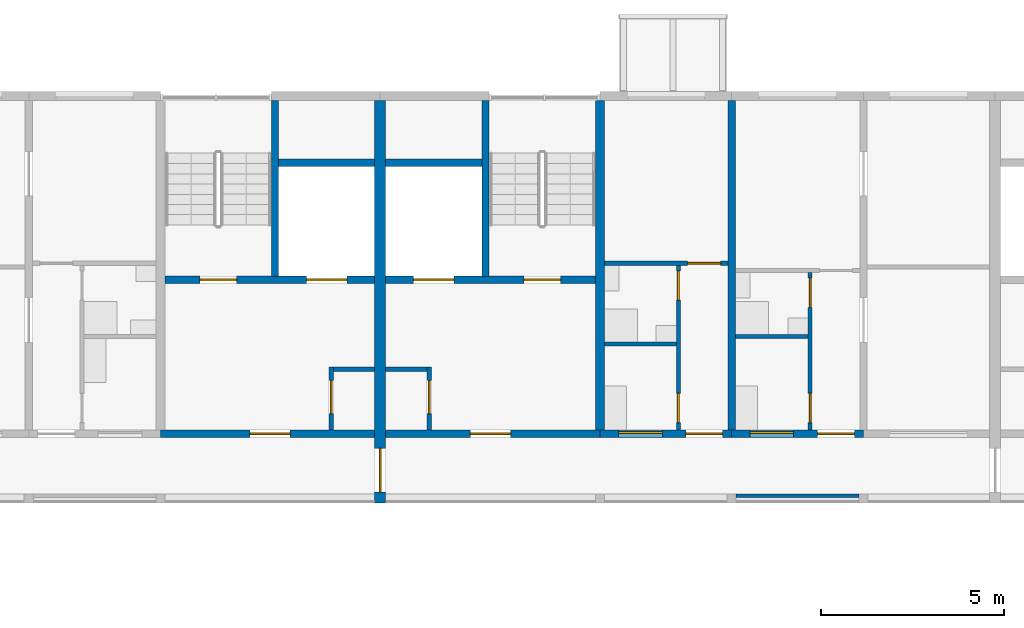
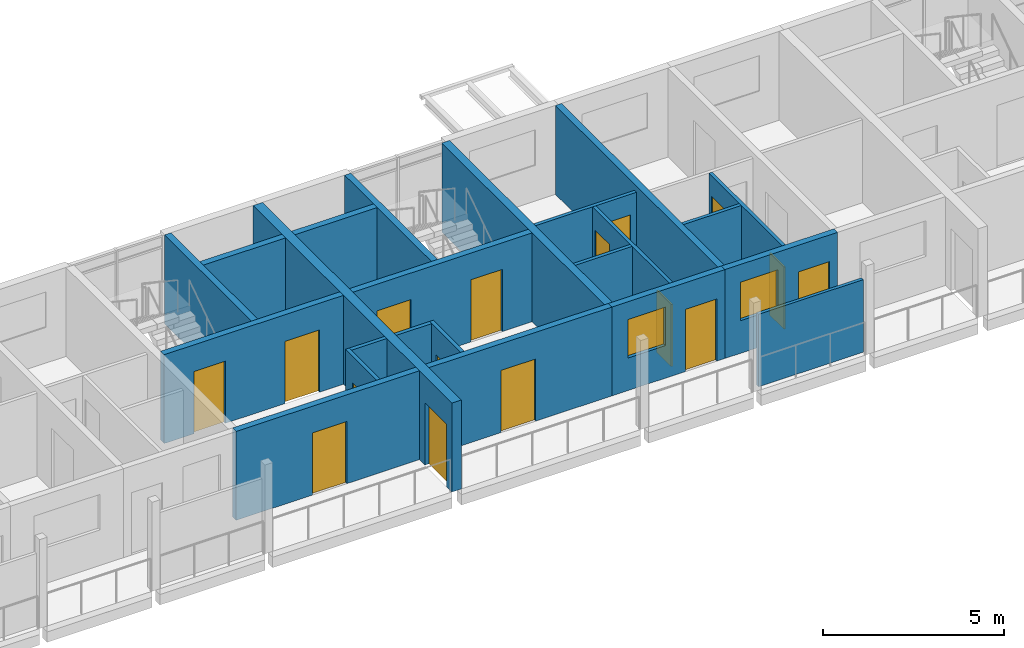
# One storey, part 42 of 100: 23 walls, 16 doors, 2 windows, 18 openings.
"""IFC4 building model written with IfcOpenShell, lengths in metres."""

from ifc_helpers import new_model, si_unit, direction, frame, frame_2d, origin, place, context, subcontext, project, spatial, rectangle, extrude, material, layer, layer_set, type_object, element, fill, save


model = new_model("IFC4")

# Units and contexts
model_context = context("Model", 3, precision=1e-05, world=origin(), true_north=direction((0.0, 1.0)))
body_context = subcontext(model_context, "Body", "Model", "MODEL_VIEW")
ifc_project = project(units=[si_unit("LENGTHUNIT", "METRE"), si_unit("AREAUNIT", "SQUARE_METRE"), si_unit("VOLUMEUNIT", "CUBIC_METRE"), si_unit("PLANEANGLEUNIT", "RADIAN"), si_unit("MASSUNIT", "GRAM", prefix="KILO")], contexts=[model_context])

# Site, building, storey
site_placement = place(None, origin())
site = spatial("IfcSite", under=ifc_project, at=site_placement, CompositionType="ELEMENT")
building_placement = place(site_placement, origin())
building = spatial("IfcBuilding", under=site, at=building_placement, Name="Ridgestep Commons", CompositionType="ELEMENT")
storey_placement = place(building_placement, frame((0.0, 0.0, 9.0)))
storey = spatial("IfcBuildingStorey", under=building, at=storey_placement, Name="L03", CompositionType="ELEMENT", Elevation=9.0)

# Wall
ifc_material_1 = material(Name="Concrete C30/37", Category="concrete")
ifc_layer_1 = layer(ifc_material_1, 0.25)
ifc_layer_set_1 = layer_set([ifc_layer_1], Name="Core cross wall 250")
wall_type_1 = type_object("IfcWallType", Name="Core cross wall 250", PredefinedType="SHEAR", material=ifc_layer_set_1)
wall_1_placement = place(storey_placement, frame((85.199951171875, 68.0, 0.0), z_axis=(0.0, 0.0, 1.0), x_axis=(0.0, 1.0, 0.0)))
element("IfcWall", 1, at=wall_1_placement, inside=storey, type_object=wall_type_1, Name="Cross wall B-03-0852", PredefinedType="SHEAR", context=body_context, shape_type="SweptSolid", body=[
    extrude(rectangle(XDim=9.0, YDim=0.25, at=frame_2d((4.5, 0.0))), origin(), (0.0, 0.0, 1.0), 3.0),
])

# Wall, opening, door
ifc_material_2 = material(Name="Concrete C30/37", Category="concrete")
ifc_layer_2 = layer(ifc_material_2, 0.199951171875)
ifc_layer_set_2 = layer_set([ifc_layer_2], Name="Core south wall 200")
wall_type_2 = type_object("IfcWallType", Name="Core south wall 200", PredefinedType="SHEAR", material=ifc_layer_set_2)
wall_2_placement = place(storey_placement, frame((73.199951171875, 67.89990234375, 0.0), z_axis=(0.0, 0.0, 1.0), x_axis=(1.0, 0.0, 0.0)))
wall_2 = element("IfcWall", 2, at=wall_2_placement, inside=storey, type_object=wall_type_2, Name="Core south wall B4C L03", PredefinedType="SHEAR", context=body_context, shape_type="SweptSolid", body=[
    extrude(rectangle(XDim=5.85009765625, YDim=0.199951171875, at=frame_2d((2.925048828125, 0.0))), origin(), (0.0, 0.0, 1.0), 3.0),
])
opening_1_placement = place(wall_2_placement, frame((2.4375, 0.0, 0.0)))
opening_1 = element("IfcOpeningElement", 3, at=opening_1_placement, cuts=wall_2, Name="Opening B4C/03/1", PredefinedType="OPENING", context=body_context, shape_type="SweptSolid", body=[
    extrude(rectangle(XDim=1.10009765625, YDim=2.10009765625, at=frame_2d((0.550048828125, 1.050048828125))), frame((0.0, 0.10986328125, 0.0), z_axis=(0.0, -1.0, 0.0), x_axis=(1.0, 0.0, 0.0)), (0.0, 0.0, 1.0), 0.219970703125),
])
ifc_material_3 = material(Name="Steel fire door", Category="steel")
door_type_1 = type_object("IfcDoorType", Name="Lobby door 1100 x 2100 FD60", OperationType="NOTDEFINED", PredefinedType="DOOR", material=ifc_material_3)
door_1_placement = place(opening_1_placement, origin())
door_1 = element("IfcDoor", 4, at=door_1_placement, inside=storey, type_object=door_type_1, Name="Lobby door B4C/03/1", OperationType="SINGLE_SWING_LEFT", OverallHeight=2.10009765625, OverallWidth=1.10009765625, PredefinedType="DOOR", context=body_context, shape_type="SweptSolid", body=[
    extrude(rectangle(XDim=1.10009765625, YDim=2.10009765625, at=frame_2d((0.550048828125, 1.050048828125))), frame((0.0, 0.02490234375, 0.0), z_axis=(0.0, -1.0, 0.0), x_axis=(1.0, 0.0, 0.0)), (0.0, 0.0, 1.0), 0.050048828125),
])
fill(opening_1, door_1)

wall_3_placement = place(storey_placement, frame((79.35009765625, 67.89990234375, 0.0), z_axis=(0.0, 0.0, 1.0), x_axis=(1.0, 0.0, 0.0)))
wall_3 = element("IfcWall", 5, at=wall_3_placement, inside=storey, type_object=wall_type_2, Name="Core south wall B5C L03", PredefinedType="SHEAR", context=body_context, shape_type="SweptSolid", body=[
    extrude(rectangle(XDim=5.849853515625, YDim=0.199951171875, at=frame_2d((2.9248046875, 0.0))), origin(), (0.0, 0.0, 1.0), 3.0),
])
opening_2_placement = place(wall_3_placement, frame((2.3125, 0.0, 0.0)))
opening_2 = element("IfcOpeningElement", 6, at=opening_2_placement, cuts=wall_3, Name="Opening B5C/03/1", PredefinedType="OPENING", context=body_context, shape_type="SweptSolid", body=[
    extrude(rectangle(XDim=1.10009765625, YDim=2.10009765625, at=frame_2d((0.550048828125, 1.050048828125))), frame((0.0, 0.10986328125, 0.0), z_axis=(0.0, -1.0, 0.0), x_axis=(1.0, 0.0, 0.0)), (0.0, 0.0, 1.0), 0.219970703125),
])
door_2_placement = place(opening_2_placement, origin())
door_2 = element("IfcDoor", 7, at=door_2_placement, inside=storey, type_object=door_type_1, Name="Lobby door B5C/03/1", OperationType="SINGLE_SWING_LEFT", OverallHeight=2.10009765625, OverallWidth=1.10009765625, PredefinedType="DOOR", context=body_context, shape_type="SweptSolid", body=[
    extrude(rectangle(XDim=1.10009765625, YDim=2.10009765625, at=frame_2d((0.550048828125, 1.050048828125))), frame((0.0, 0.02490234375, 0.0), z_axis=(0.0, -1.0, 0.0), x_axis=(1.0, 0.0, 0.0)), (0.0, 0.0, 1.0), 0.050048828125),
])
fill(opening_2, door_2)

ifc_material_4 = material(Name="Concrete C30/37", Category="concrete")
ifc_layer_3 = layer(ifc_material_4, 0.1201171875)
ifc_layer_set_3 = layer_set([ifc_layer_3], Name="Core wall 120")
wall_type_3 = type_object("IfcWallType", Name="Core wall 120", PredefinedType="SHEAR", material=ifc_layer_set_3)
wall_4_placement = place(storey_placement, frame((77.860107421875, 68.0, 0.0), z_axis=(0.0, 0.0, 1.0), x_axis=(0.0, 1.0, 0.0)))
wall_4 = element("IfcWall", 8, at=wall_4_placement, inside=storey, type_object=wall_type_3, Name="Core riser w wall B4C L03", PredefinedType="SHEAR", context=body_context, shape_type="SweptSolid", body=[
    extrude(rectangle(XDim=1.719970703125, YDim=0.1201171875, at=frame_2d((0.85986328125, 0.0))), origin(), (0.0, 0.0, 1.0), 3.0),
])
opening_3_placement = place(wall_4_placement, frame((0.449951171875, 0.0, 0.0)))
opening_3 = element("IfcOpeningElement", 9, at=opening_3_placement, cuts=wall_4, Name="Opening B4C/03/4", PredefinedType="OPENING", context=body_context, shape_type="SweptSolid", body=[
    extrude(rectangle(XDim=0.89990234375, YDim=2.10009765625, at=frame_2d((0.449951171875, 1.050048828125))), frame((0.0, 0.070068359375, 0.0), z_axis=(0.0, -1.0, 0.0), x_axis=(1.0, 0.0, 0.0)), (0.0, 0.0, 1.0), 0.14013671875),
])
ifc_material_5 = material(Name="Steel fire door", Category="steel")
door_type_2 = type_object("IfcDoorType", Name="Riser door 900 x 2100 FD60", OperationType="NOTDEFINED", PredefinedType="DOOR", material=ifc_material_5)
door_3_placement = place(opening_3_placement, origin())
door_3 = element("IfcDoor", 10, at=door_3_placement, inside=storey, type_object=door_type_2, Name="Riser door B4C/03/4", OperationType="SINGLE_SWING_LEFT", OverallHeight=2.10009765625, OverallWidth=0.89990234375, PredefinedType="DOOR", context=body_context, shape_type="SweptSolid", body=[
    extrude(rectangle(XDim=0.89990234375, YDim=2.10009765625, at=frame_2d((0.449951171875, 1.050048828125))), frame((0.0, 0.02490234375, 0.0), z_axis=(0.0, -1.0, 0.0), x_axis=(1.0, 0.0, 0.0)), (0.0, 0.0, 1.0), 0.050048828125),
])
fill(opening_3, door_3)

# Wall
wall_5_placement = place(storey_placement, frame((77.919921875, 69.659912109375, 0.0), z_axis=(0.0, 0.0, 1.0), x_axis=(1.0, 0.0, 0.0)))
element("IfcWall", 11, at=wall_5_placement, inside=storey, type_object=wall_type_3, Name="Core riser n wall B4C L03", PredefinedType="SHEAR", context=body_context, shape_type="SweptSolid", body=[
    extrude(rectangle(XDim=1.130126953125, YDim=0.1201171875, at=frame_2d((0.56494140625, 0.0))), origin(), (0.0, 0.0, 1.0), 3.0),
])

# Wall, opening, door
wall_6_placement = place(storey_placement, frame((80.5400390625, 68.0, 0.0), z_axis=(0.0, 0.0, 1.0), x_axis=(0.0, 1.0, 0.0)))
wall_6 = element("IfcWall", 12, at=wall_6_placement, inside=storey, type_object=wall_type_3, Name="Core riser w wall B5C L03", PredefinedType="SHEAR", context=body_context, shape_type="SweptSolid", body=[
    extrude(rectangle(XDim=1.719970703125, YDim=0.1201171875, at=frame_2d((0.85986328125, 0.0))), origin(), (0.0, 0.0, 1.0), 3.0),
])
opening_4_placement = place(wall_6_placement, frame((0.449951171875, 0.0, 0.0)))
opening_4 = element("IfcOpeningElement", 13, at=opening_4_placement, cuts=wall_6, Name="Opening B5C/03/4", PredefinedType="OPENING", context=body_context, shape_type="SweptSolid", body=[
    extrude(rectangle(XDim=0.89990234375, YDim=2.10009765625, at=frame_2d((0.449951171875, 1.050048828125))), frame((0.0, 0.070068359375, 0.0), z_axis=(0.0, -1.0, 0.0), x_axis=(1.0, 0.0, 0.0)), (0.0, 0.0, 1.0), 0.14013671875),
])
door_4_placement = place(opening_4_placement, origin())
door_4 = element("IfcDoor", 14, at=door_4_placement, inside=storey, type_object=door_type_2, Name="Riser door B5C/03/4", OperationType="SINGLE_SWING_RIGHT", OverallHeight=2.10009765625, OverallWidth=0.89990234375, PredefinedType="DOOR", context=body_context, shape_type="SweptSolid", body=[
    extrude(rectangle(XDim=0.89990234375, YDim=2.10009765625, at=frame_2d((0.449951171875, 1.050048828125))), frame((0.0, 0.02490234375, 0.0), z_axis=(0.0, -1.0, 0.0), x_axis=(1.0, 0.0, 0.0)), (0.0, 0.0, 1.0), 0.050048828125),
])
fill(opening_4, door_4)

# Wall
wall_7_placement = place(storey_placement, frame((79.35009765625, 69.659912109375, 0.0), z_axis=(0.0, 0.0, 1.0), x_axis=(1.0, 0.0, 0.0)))
element("IfcWall", 15, at=wall_7_placement, inside=storey, type_object=wall_type_3, Name="Core riser n wall B5C L03", PredefinedType="SHEAR", context=body_context, shape_type="SweptSolid", body=[
    extrude(rectangle(XDim=1.1298828125, YDim=0.1201171875, at=frame_2d((0.56494140625, 0.0))), origin(), (0.0, 0.0, 1.0), 3.0),
])

# Wall, openings, doors
ifc_material_6 = material(Name="Concrete C30/37", Category="concrete")
ifc_layer_4 = layer(ifc_material_6, 0.199951171875)
ifc_layer_set_4 = layer_set([ifc_layer_4], Name="Core wall 200")
wall_type_4 = type_object("IfcWallType", Name="Core wall 200", PredefinedType="SHEAR", material=ifc_layer_set_4)
wall_8_placement = place(storey_placement, frame((73.324951171875, 72.10009765625, 0.0), z_axis=(0.0, 0.0, 1.0), x_axis=(1.0, 0.0, 0.0)))
wall_8 = element("IfcWall", 16, at=wall_8_placement, inside=storey, type_object=wall_type_4, Name="Core lobby wall B4C L03", PredefinedType="SHEAR", context=body_context, shape_type="SweptSolid", body=[
    extrude(rectangle(XDim=5.72509765625, YDim=0.199951171875, at=frame_2d((2.862548828125, 0.0))), origin(), (0.0, 0.0, 1.0), 3.0),
])
opening_5_placement = place(wall_8_placement, frame((0.949951171875, 0.0, 0.0)))
opening_5 = element("IfcOpeningElement", 17, at=opening_5_placement, cuts=wall_8, Name="Opening B4C/03/2", PredefinedType="OPENING", context=body_context, shape_type="SweptSolid", body=[
    extrude(rectangle(XDim=1.0, YDim=2.10009765625, at=frame_2d((0.5, 1.050048828125))), frame((0.0, 0.10986328125, 0.0), z_axis=(0.0, -1.0, 0.0), x_axis=(1.0, 0.0, 0.0)), (0.0, 0.0, 1.0), 0.219970703125),
])
opening_6_placement = place(wall_8_placement, frame((3.862548828125, 0.0, 0.0)))
opening_6 = element("IfcOpeningElement", 18, at=opening_6_placement, cuts=wall_8, Name="Opening B4C/03/3", PredefinedType="OPENING", context=body_context, shape_type="SweptSolid", body=[
    extrude(rectangle(XDim=1.10009765625, YDim=2.10009765625, at=frame_2d((0.550048828125, 1.050048828125))), frame((0.0, 0.10986328125, 0.0), z_axis=(0.0, -1.0, 0.0), x_axis=(1.0, 0.0, 0.0)), (0.0, 0.0, 1.0), 0.219970703125),
])
ifc_material_7 = material(Name="Stainless steel", Category="steel")
door_type_3 = type_object("IfcDoorType", Name="Lift landing door 1100 x 2100 FD60", OperationType="DOUBLE_DOOR_SLIDING", PredefinedType="DOOR", material=ifc_material_7)
door_5_placement = place(opening_6_placement, origin())
door_5 = element("IfcDoor", 19, at=door_5_placement, inside=storey, type_object=door_type_3, Name="Landing door LD B4C L03", OperationType="DOUBLE_DOOR_SLIDING", OverallHeight=2.10009765625, OverallWidth=1.10009765625, PredefinedType="DOOR", context=body_context, shape_type="SweptSolid", body=[
    extrude(rectangle(XDim=1.10009765625, YDim=2.10009765625, at=frame_2d((0.550048828125, 1.050048828125))), frame((0.0, 0.02490234375, 0.0), z_axis=(0.0, -1.0, 0.0), x_axis=(1.0, 0.0, 0.0)), (0.0, 0.0, 1.0), 0.050048828125),
])
fill(opening_6, door_5)
ifc_material_8 = material(Name="Steel fire door", Category="steel")
door_type_4 = type_object("IfcDoorType", Name="Stair door 1000 x 2100 FD60", OperationType="NOTDEFINED", PredefinedType="DOOR", material=ifc_material_8)
door_6_placement = place(opening_5_placement, origin())
door_6 = element("IfcDoor", 20, at=door_6_placement, inside=storey, type_object=door_type_4, Name="Stair door B4C/03/2", OperationType="SINGLE_SWING_RIGHT", OverallHeight=2.10009765625, OverallWidth=1.0, PredefinedType="DOOR", context=body_context, shape_type="SweptSolid", body=[
    extrude(rectangle(XDim=1.0, YDim=2.10009765625, at=frame_2d((0.5, 1.050048828125))), frame((0.0, 0.02490234375, 0.0), z_axis=(0.0, -1.0, 0.0), x_axis=(1.0, 0.0, 0.0)), (0.0, 0.0, 1.0), 0.050048828125),
])
fill(opening_5, door_6)

# Walls
wall_9_placement = place(storey_placement, frame((76.324951171875, 72.199951171875, 0.0), z_axis=(0.0, 0.0, 1.0), x_axis=(0.0, 1.0, 0.0)))
element("IfcWall", 21, at=wall_9_placement, inside=storey, type_object=wall_type_4, Name="Core stair wall B4C L03", PredefinedType="SHEAR", context=body_context, shape_type="SweptSolid", body=[
    extrude(rectangle(XDim=4.800048828125, YDim=0.199951171875, at=frame_2d((2.39990234375, 0.0))), origin(), (0.0, 0.0, 1.0), 3.0),
])
wall_10_placement = place(storey_placement, frame((76.425048828125, 75.300048828125, 0.0), z_axis=(0.0, 0.0, 1.0), x_axis=(1.0, 0.0, 0.0)))
element("IfcWall", 22, at=wall_10_placement, inside=storey, type_object=wall_type_4, Name="Core duct wall B4C L03", PredefinedType="SHEAR", context=body_context, shape_type="SweptSolid", body=[
    extrude(rectangle(XDim=2.625, YDim=0.199951171875, at=frame_2d((1.3125, 0.0))), origin(), (0.0, 0.0, 1.0), 3.0),
])

# Wall, openings, doors
wall_11_placement = place(storey_placement, frame((79.35009765625, 72.10009765625, 0.0), z_axis=(0.0, 0.0, 1.0), x_axis=(1.0, 0.0, 0.0)))
wall_11 = element("IfcWall", 23, at=wall_11_placement, inside=storey, type_object=wall_type_4, Name="Core lobby wall B5C L03", PredefinedType="SHEAR", context=body_context, shape_type="SweptSolid", body=[
    extrude(rectangle(XDim=5.724853515625, YDim=0.199951171875, at=frame_2d((2.8623046875, 0.0))), origin(), (0.0, 0.0, 1.0), 3.0),
])
opening_7_placement = place(wall_11_placement, frame((3.77490234375, 0.0, 0.0)))
opening_7 = element("IfcOpeningElement", 24, at=opening_7_placement, cuts=wall_11, Name="Opening B5C/03/2", PredefinedType="OPENING", context=body_context, shape_type="SweptSolid", body=[
    extrude(rectangle(XDim=1.0, YDim=2.10009765625, at=frame_2d((0.5, 1.050048828125))), frame((0.0, 0.10986328125, 0.0), z_axis=(0.0, -1.0, 0.0), x_axis=(1.0, 0.0, 0.0)), (0.0, 0.0, 1.0), 0.219970703125),
])
opening_8_placement = place(wall_11_placement, frame((0.762451171875, 0.0, 0.0)))
opening_8 = element("IfcOpeningElement", 25, at=opening_8_placement, cuts=wall_11, Name="Opening B5C/03/3", PredefinedType="OPENING", context=body_context, shape_type="SweptSolid", body=[
    extrude(rectangle(XDim=1.10009765625, YDim=2.10009765625, at=frame_2d((0.550048828125, 1.050048828125))), frame((0.0, 0.10986328125, 0.0), z_axis=(0.0, -1.0, 0.0), x_axis=(1.0, 0.0, 0.0)), (0.0, 0.0, 1.0), 0.219970703125),
])
door_7_placement = place(opening_8_placement, origin())
door_7 = element("IfcDoor", 26, at=door_7_placement, inside=storey, type_object=door_type_3, Name="Landing door LD B5C L03", OperationType="DOUBLE_DOOR_SLIDING", OverallHeight=2.10009765625, OverallWidth=1.10009765625, PredefinedType="DOOR", context=body_context, shape_type="SweptSolid", body=[
    extrude(rectangle(XDim=1.10009765625, YDim=2.10009765625, at=frame_2d((0.550048828125, 1.050048828125))), frame((0.0, 0.02490234375, 0.0), z_axis=(0.0, -1.0, 0.0), x_axis=(1.0, 0.0, 0.0)), (0.0, 0.0, 1.0), 0.050048828125),
])
fill(opening_8, door_7)
door_8_placement = place(opening_7_placement, origin())
door_8 = element("IfcDoor", 27, at=door_8_placement, inside=storey, type_object=door_type_4, Name="Stair door B5C/03/2", OperationType="SINGLE_SWING_RIGHT", OverallHeight=2.10009765625, OverallWidth=1.0, PredefinedType="DOOR", context=body_context, shape_type="SweptSolid", body=[
    extrude(rectangle(XDim=1.0, YDim=2.10009765625, at=frame_2d((0.5, 1.050048828125))), frame((0.0, 0.02490234375, 0.0), z_axis=(0.0, -1.0, 0.0), x_axis=(1.0, 0.0, 0.0)), (0.0, 0.0, 1.0), 0.050048828125),
])
fill(opening_7, door_8)

# Walls
wall_12_placement = place(storey_placement, frame((82.074951171875, 72.199951171875, 0.0), z_axis=(0.0, 0.0, 1.0), x_axis=(0.0, 1.0, 0.0)))
element("IfcWall", 28, at=wall_12_placement, inside=storey, type_object=wall_type_4, Name="Core stair wall B5C L03", PredefinedType="SHEAR", context=body_context, shape_type="SweptSolid", body=[
    extrude(rectangle(XDim=4.800048828125, YDim=0.199951171875, at=frame_2d((2.39990234375, 0.0))), origin(), (0.0, 0.0, 1.0), 3.0),
])
wall_13_placement = place(storey_placement, frame((79.35009765625, 75.300048828125, 0.0), z_axis=(0.0, 0.0, 1.0), x_axis=(1.0, 0.0, 0.0)))
element("IfcWall", 29, at=wall_13_placement, inside=storey, type_object=wall_type_4, Name="Core duct wall B5C L03", PredefinedType="SHEAR", context=body_context, shape_type="SweptSolid", body=[
    extrude(rectangle(XDim=2.625, YDim=0.199951171875, at=frame_2d((1.3125, 0.0))), origin(), (0.0, 0.0, 1.0), 3.0),
])
ifc_material_9 = material(Name="Precast concrete C40/50", Category="concrete")
ifc_layer_5 = layer(ifc_material_9, 0.199951171875)
ifc_layer_set_5 = layer_set([ifc_layer_5], Name="Cross wall 200")
wall_type_5 = type_object("IfcWallType", Name="Cross wall 200", PredefinedType="SHEAR", material=ifc_layer_set_5)
wall_14_placement = place(storey_placement, frame((88.800048828125, 68.0, 0.0), z_axis=(0.0, 0.0, 1.0), x_axis=(0.0, 1.0, 0.0)))
element("IfcWall", 30, at=wall_14_placement, inside=storey, type_object=wall_type_5, Name="Cross wall B-03-0888", PredefinedType="SHEAR", context=body_context, shape_type="SweptSolid", body=[
    extrude(rectangle(XDim=9.0, YDim=0.199951171875, at=frame_2d((4.5, 0.0))), origin(), (0.0, 0.0, 1.0), 3.0),
])

# Wall, opening, door
ifc_material_10 = material(Name="Precast concrete C40/50", Category="concrete")
ifc_layer_6 = layer(ifc_material_10, 0.300048828125)
ifc_layer_set_6 = layer_set([ifc_layer_6], Name="Division wall 300")
wall_type_6 = type_object("IfcWallType", Name="Division wall 300", PredefinedType="SHEAR", material=ifc_layer_set_6)
wall_15_placement = place(storey_placement, frame((79.199951171875, 66.0, 0.0), z_axis=(0.0, 0.0, 1.0), x_axis=(0.0, 1.0, 0.0)))
wall_15 = element("IfcWall", 31, at=wall_15_placement, inside=storey, type_object=wall_type_6, Name="Cross wall B-03-0792", PredefinedType="SHEAR", context=body_context, shape_type="SweptSolid", body=[
    extrude(rectangle(XDim=11.0, YDim=0.300048828125, at=frame_2d((5.5, 0.0))), origin(), (0.0, 0.0, 1.0), 3.0),
])
opening_9_placement = place(wall_15_placement, frame((0.300048828125, 0.0, 0.0)))
opening_9 = element("IfcOpeningElement", 32, at=opening_9_placement, cuts=wall_15, Name="Opening B/03/G0792", PredefinedType="OPENING", context=body_context, shape_type="SweptSolid", body=[
    extrude(rectangle(XDim=1.199951171875, YDim=2.10009765625, at=frame_2d((0.60009765625, 1.050048828125))), frame((0.0, 0.159912109375, 0.0), z_axis=(0.0, -1.0, 0.0), x_axis=(1.0, 0.0, 0.0)), (0.0, 0.0, 1.0), 0.320068359375),
])
ifc_material_11 = material(Name="Steel fire door", Category="steel")
door_type_5 = type_object("IfcDoorType", Name="Division fire door 1200 x 2100 EI 240", OperationType="DOUBLE_DOOR_SINGLE_SWING", PredefinedType="DOOR", material=ifc_material_11)
door_9_placement = place(opening_9_placement, origin())
door_9 = element("IfcDoor", 33, at=door_9_placement, inside=storey, type_object=door_type_5, Name="Division fire door B/03/G0792", OperationType="DOUBLE_DOOR_SINGLE_SWING", OverallHeight=2.10009765625, OverallWidth=1.199951171875, PredefinedType="DOOR", context=body_context, shape_type="SweptSolid", body=[
    extrude(rectangle(XDim=1.199951171875, YDim=2.10009765625, at=frame_2d((0.60009765625, 1.050048828125))), frame((0.0, 0.02490234375, 0.0), z_axis=(0.0, -1.0, 0.0), x_axis=(1.0, 0.0, 0.0)), (0.0, 0.0, 1.0), 0.050048828125),
])
fill(opening_9, door_9)

# Wall
ifc_material_12 = material(Name="Common brick 110 mm", Category="masonry")
ifc_layer_7 = layer(ifc_material_12, 0.110107421875)
ifc_layer_set_7 = layer_set([ifc_layer_7], Name="Partition 110")
wall_type_7 = type_object("IfcWallType", Name="Partition 110", PredefinedType="PARTITIONING", material=ifc_layer_set_7)
wall_16_placement = place(storey_placement, frame((88.89990234375, 70.554931640625, 0.0), z_axis=(0.0, 0.0, 1.0), x_axis=(1.0, 0.0, 0.0)))
element("IfcWall", 34, at=wall_16_placement, inside=storey, type_object=wall_type_7, Name="Partition B5-03a", PredefinedType="PARTITIONING", context=body_context, shape_type="SweptSolid", body=[
    extrude(rectangle(XDim=1.989990234375, YDim=0.110107421875, at=frame_2d((0.9951171875, 0.0))), origin(), (0.0, 0.0, 1.0), 2.800048828125),
])

# Wall, openings, doors
wall_17_placement = place(storey_placement, frame((90.945068359375, 68.0, 0.0), z_axis=(0.0, 0.0, 1.0), x_axis=(0.0, 1.0, 0.0)))
wall_17 = element("IfcWall", 35, at=wall_17_placement, inside=storey, type_object=wall_type_7, Name="Partition B5-03a", PredefinedType="PARTITIONING", context=body_context, shape_type="SweptSolid", body=[
    extrude(rectangle(XDim=4.300048828125, YDim=0.110107421875, at=frame_2d((2.14990234375, 0.0))), origin(), (0.0, 0.0, 1.0), 2.800048828125),
])
opening_10_placement = place(wall_17_placement, frame((0.199951171875, 0.0, 0.0)))
opening_10 = element("IfcOpeningElement", 36, at=opening_10_placement, cuts=wall_17, Name="Opening B5-03a/2", PredefinedType="OPENING", context=body_context, shape_type="SweptSolid", body=[
    extrude(rectangle(XDim=0.800048828125, YDim=2.10009765625, at=frame_2d((0.39990234375, 1.050048828125))), frame((0.0, 0.06494140625, 0.0), z_axis=(0.0, -1.0, 0.0), x_axis=(1.0, 0.0, 0.0)), (0.0, 0.0, 1.0), 0.130126953125),
])
opening_11_placement = place(wall_17_placement, frame((3.35009765625, 0.0, 0.0)))
opening_11 = element("IfcOpeningElement", 37, at=opening_11_placement, cuts=wall_17, Name="Opening B5-03a/3", PredefinedType="OPENING", context=body_context, shape_type="SweptSolid", body=[
    extrude(rectangle(XDim=0.800048828125, YDim=2.10009765625, at=frame_2d((0.39990234375, 1.050048828125))), frame((0.0, 0.06494140625, 0.0), z_axis=(0.0, -1.0, 0.0), x_axis=(1.0, 0.0, 0.0)), (0.0, 0.0, 1.0), 0.130126953125),
])
ifc_material_13 = material(Name="Timber door leaf", Category="wood")
door_type_6 = type_object("IfcDoorType", Name="Internal door 800 x 2100", OperationType="NOTDEFINED", PredefinedType="DOOR", material=ifc_material_13)
door_10_placement = place(opening_10_placement, origin())
door_10 = element("IfcDoor", 38, at=door_10_placement, inside=storey, type_object=door_type_6, Name="Internal door B5-03a/2", OperationType="SINGLE_SWING_LEFT", OverallHeight=2.10009765625, OverallWidth=0.800048828125, PredefinedType="DOOR", context=body_context, shape_type="SweptSolid", body=[
    extrude(rectangle(XDim=0.800048828125, YDim=2.10009765625, at=frame_2d((0.39990234375, 1.050048828125))), frame((0.0, 0.02490234375, 0.0), z_axis=(0.0, -1.0, 0.0), x_axis=(1.0, 0.0, 0.0)), (0.0, 0.0, 1.0), 0.050048828125),
])
fill(opening_10, door_10)
door_11_placement = place(opening_11_placement, origin())
door_11 = element("IfcDoor", 39, at=door_11_placement, inside=storey, type_object=door_type_6, Name="Internal door B5-03a/3", OperationType="SINGLE_SWING_RIGHT", OverallHeight=2.10009765625, OverallWidth=0.800048828125, PredefinedType="DOOR", context=body_context, shape_type="SweptSolid", body=[
    extrude(rectangle(XDim=0.800048828125, YDim=2.10009765625, at=frame_2d((0.39990234375, 1.050048828125))), frame((0.0, 0.02490234375, 0.0), z_axis=(0.0, -1.0, 0.0), x_axis=(1.0, 0.0, 0.0)), (0.0, 0.0, 1.0), 0.050048828125),
])
fill(opening_11, door_11)

# Wall
wall_18_placement = place(storey_placement, frame((85.324951171875, 70.35498046875, 0.0), z_axis=(0.0, 0.0, 1.0), x_axis=(1.0, 0.0, 0.0)))
element("IfcWall", 40, at=wall_18_placement, inside=storey, type_object=wall_type_7, Name="Partition B5-03b", PredefinedType="PARTITIONING", context=body_context, shape_type="SweptSolid", body=[
    extrude(rectangle(XDim=1.965087890625, YDim=0.110107421875, at=frame_2d((0.982421875, 0.0))), origin(), (0.0, 0.0, 1.0), 2.800048828125),
])

# Wall, openings, doors
wall_19_placement = place(storey_placement, frame((87.344970703125, 68.0, 0.0), z_axis=(0.0, 0.0, 1.0), x_axis=(0.0, 1.0, 0.0)))
wall_19 = element("IfcWall", 41, at=wall_19_placement, inside=storey, type_object=wall_type_7, Name="Partition B5-03b", PredefinedType="PARTITIONING", context=body_context, shape_type="SweptSolid", body=[
    extrude(rectangle(XDim=4.5, YDim=0.110107421875, at=frame_2d((2.25, 0.0))), origin(), (0.0, 0.0, 1.0), 2.800048828125),
])
opening_12_placement = place(wall_19_placement, frame((0.199951171875, 0.0, 0.0)))
opening_12 = element("IfcOpeningElement", 42, at=opening_12_placement, cuts=wall_19, Name="Opening B5-03b/2", PredefinedType="OPENING", context=body_context, shape_type="SweptSolid", body=[
    extrude(rectangle(XDim=0.800048828125, YDim=2.10009765625, at=frame_2d((0.39990234375, 1.050048828125))), frame((0.0, 0.06494140625, 0.0), z_axis=(0.0, -1.0, 0.0), x_axis=(1.0, 0.0, 0.0)), (0.0, 0.0, 1.0), 0.130126953125),
])
opening_13_placement = place(wall_19_placement, frame((3.550048828125, 0.0, 0.0)))
opening_13 = element("IfcOpeningElement", 43, at=opening_13_placement, cuts=wall_19, Name="Opening B5-03b/3", PredefinedType="OPENING", context=body_context, shape_type="SweptSolid", body=[
    extrude(rectangle(XDim=0.800048828125, YDim=2.10009765625, at=frame_2d((0.39990234375, 1.050048828125))), frame((0.0, 0.06494140625, 0.0), z_axis=(0.0, -1.0, 0.0), x_axis=(1.0, 0.0, 0.0)), (0.0, 0.0, 1.0), 0.130126953125),
])
door_12_placement = place(opening_12_placement, origin())
door_12 = element("IfcDoor", 44, at=door_12_placement, inside=storey, type_object=door_type_6, Name="Internal door B5-03b/2", OperationType="SINGLE_SWING_LEFT", OverallHeight=2.10009765625, OverallWidth=0.800048828125, PredefinedType="DOOR", context=body_context, shape_type="SweptSolid", body=[
    extrude(rectangle(XDim=0.800048828125, YDim=2.10009765625, at=frame_2d((0.39990234375, 1.050048828125))), frame((0.0, 0.02490234375, 0.0), z_axis=(0.0, -1.0, 0.0), x_axis=(1.0, 0.0, 0.0)), (0.0, 0.0, 1.0), 0.050048828125),
])
fill(opening_12, door_12)
door_13_placement = place(opening_13_placement, origin())
door_13 = element("IfcDoor", 45, at=door_13_placement, inside=storey, type_object=door_type_6, Name="Internal door B5-03b/3", OperationType="SINGLE_SWING_RIGHT", OverallHeight=2.10009765625, OverallWidth=0.800048828125, PredefinedType="DOOR", context=body_context, shape_type="SweptSolid", body=[
    extrude(rectangle(XDim=0.800048828125, YDim=2.10009765625, at=frame_2d((0.39990234375, 1.050048828125))), frame((0.0, 0.02490234375, 0.0), z_axis=(0.0, -1.0, 0.0), x_axis=(1.0, 0.0, 0.0)), (0.0, 0.0, 1.0), 0.050048828125),
])
fill(opening_13, door_13)

# Wall, opening, door
wall_20_placement = place(storey_placement, frame((85.324951171875, 72.554931640625, 0.0), z_axis=(0.0, 0.0, 1.0), x_axis=(1.0, 0.0, 0.0)))
wall_20 = element("IfcWall", 46, at=wall_20_placement, inside=storey, type_object=wall_type_7, Name="Partition B5-03b", PredefinedType="PARTITIONING", context=body_context, shape_type="SweptSolid", body=[
    extrude(rectangle(XDim=3.375, YDim=0.110107421875, at=frame_2d((1.6875, 0.0))), origin(), (0.0, 0.0, 1.0), 2.800048828125),
])
opening_14_placement = place(wall_20_placement, frame((2.27490234375, 0.0, 0.0)))
opening_14 = element("IfcOpeningElement", 47, at=opening_14_placement, cuts=wall_20, Name="Opening B5-03b/4", PredefinedType="OPENING", context=body_context, shape_type="SweptSolid", body=[
    extrude(rectangle(XDim=0.89990234375, YDim=2.10009765625, at=frame_2d((0.449951171875, 1.050048828125))), frame((0.0, 0.06494140625, 0.0), z_axis=(0.0, -1.0, 0.0), x_axis=(1.0, 0.0, 0.0)), (0.0, 0.0, 1.0), 0.130126953125),
])
ifc_material_14 = material(Name="Timber door leaf", Category="wood")
door_type_7 = type_object("IfcDoorType", Name="Internal door 900 x 2100", OperationType="NOTDEFINED", PredefinedType="DOOR", material=ifc_material_14)
door_14_placement = place(opening_14_placement, origin())
door_14 = element("IfcDoor", 48, at=door_14_placement, inside=storey, type_object=door_type_7, Name="Internal door B5-03b/4", OperationType="SINGLE_SWING_RIGHT", OverallHeight=2.10009765625, OverallWidth=0.89990234375, PredefinedType="DOOR", context=body_context, shape_type="SweptSolid", body=[
    extrude(rectangle(XDim=0.89990234375, YDim=2.10009765625, at=frame_2d((0.449951171875, 1.050048828125))), frame((0.0, 0.02490234375, 0.0), z_axis=(0.0, -1.0, 0.0), x_axis=(1.0, 0.0, 0.0)), (0.0, 0.0, 1.0), 0.050048828125),
])
fill(opening_14, door_14)

# Wall
ifc_material_15 = material(Name="Precast concrete C30/37", Category="concrete")
ifc_layer_8 = layer(ifc_material_15, 0.10009765625)
ifc_layer_set_8 = layer_set([ifc_layer_8], Name="Perforated gallery screen 3350 x 2450 x 100")
wall_type_8 = type_object("IfcWallType", Name="Perforated gallery screen 3350 x 2450 x 100", PredefinedType="SOLIDWALL", material=ifc_layer_set_8)
wall_21_placement = place(storey_placement, frame((88.925048828125, 66.199951171875, 0.0), z_axis=(0.0, 0.0, 1.0), x_axis=(1.0, 0.0, 0.0)))
element("IfcWall", 49, at=wall_21_placement, inside=storey, type_object=wall_type_8, Name="Gallery screen B5T2 03", PredefinedType="SOLIDWALL", context=body_context, shape_type="SweptSolid", body=[
    extrude(rectangle(XDim=3.349853515625, YDim=0.10009765625, at=frame_2d((1.6748046875, 0.0))), origin(), (0.0, 0.0, 1.0), 2.449951171875),
])

# Wall, openings, door, window
ifc_material_16 = material(Name="Precast concrete C40/50", Category="concrete")
ifc_layer_9 = layer(ifc_material_16, 0.199951171875)
ifc_layer_set_9 = layer_set([ifc_layer_9], Name="South facade panel 200")
wall_type_9 = type_object("IfcWallType", Name="South facade panel 200", PredefinedType="SOLIDWALL", material=ifc_layer_set_9)
wall_22_placement = place(storey_placement, frame((85.199951171875, 67.89990234375, 0.0), z_axis=(0.0, 0.0, 1.0), x_axis=(1.0, 0.0, 0.0)))
wall_22 = element("IfcWall", 50, at=wall_22_placement, inside=storey, type_object=wall_type_9, Name="South panel B5T3 L03", PredefinedType="SOLIDWALL", context=body_context, shape_type="SweptSolid", body=[
    extrude(rectangle(XDim=3.60009765625, YDim=0.199951171875, at=frame_2d((1.800048828125, 0.0))), origin(), (0.0, 0.0, 1.0), 3.0),
])
opening_15_placement = place(wall_22_placement, frame((0.507568359375, 0.0, 1.10009765625)))
opening_15 = element("IfcOpeningElement", 51, at=opening_15_placement, cuts=wall_22, Name="Opening W08", PredefinedType="OPENING", context=body_context, shape_type="SweptSolid", body=[
    extrude(rectangle(XDim=1.199951171875, YDim=1.300048828125, at=frame_2d((0.60009765625, 0.64990234375))), frame((0.0, 0.10986328125, 0.0), z_axis=(0.0, -1.0, 0.0), x_axis=(1.0, 0.0, 0.0)), (0.0, 0.0, 1.0), 0.219970703125),
])
opening_16_placement = place(wall_22_placement, frame((2.35009765625, 0.0, 0.0)))
opening_16 = element("IfcOpeningElement", 52, at=opening_16_placement, cuts=wall_22, Name="Opening B5-03b/1", PredefinedType="OPENING", context=body_context, shape_type="SweptSolid", body=[
    extrude(rectangle(XDim=1.0, YDim=2.10009765625, at=frame_2d((0.5, 1.050048828125))), frame((0.0, 0.10986328125, 0.0), z_axis=(0.0, -1.0, 0.0), x_axis=(1.0, 0.0, 0.0)), (0.0, 0.0, 1.0), 0.219970703125),
])
ifc_material_17 = material(Name="Timber door leaf", Category="wood")
door_type_8 = type_object("IfcDoorType", Name="Flat entrance door 1000 x 2100 FD30S", OperationType="NOTDEFINED", PredefinedType="DOOR", material=ifc_material_17)
door_15_placement = place(opening_16_placement, origin())
door_15 = element("IfcDoor", 53, at=door_15_placement, inside=storey, type_object=door_type_8, Name="Flat entrance door B5-03b/1", OperationType="SINGLE_SWING_RIGHT", OverallHeight=2.10009765625, OverallWidth=1.0, PredefinedType="DOOR", context=body_context, shape_type="SweptSolid", body=[
    extrude(rectangle(XDim=1.0, YDim=2.10009765625, at=frame_2d((0.5, 1.050048828125))), frame((0.0, 0.02490234375, 0.0), z_axis=(0.0, -1.0, 0.0), x_axis=(1.0, 0.0, 0.0)), (0.0, 0.0, 1.0), 0.050048828125),
])
fill(opening_16, door_15)
ifc_material_18 = material(Name="Aluminium 6063-T6 and glass", Category="aluminium")
window_type = type_object("IfcWindowType", Name="Flat window 1200 x 1300", PartitioningType="SINGLE_PANEL", PredefinedType="WINDOW", material=ifc_material_18)
window_1_placement = place(opening_15_placement, origin())
window_1 = element("IfcWindow", 54, at=window_1_placement, inside=storey, type_object=window_type, Name="Window B5-03b 1", OverallHeight=1.300048828125, OverallWidth=1.199951171875, PartitioningType="SINGLE_PANEL", PredefinedType="WINDOW", context=body_context, shape_type="SweptSolid", body=[
    extrude(rectangle(XDim=1.199951171875, YDim=1.300048828125, at=frame_2d((0.60009765625, 0.64990234375))), frame((0.0, 0.06005859375, 0.0), z_axis=(0.0, -1.0, 0.0), x_axis=(1.0, 0.0, 0.0)), (0.0, 0.0, 1.0), 0.06005859375),
])
fill(opening_15, window_1)

wall_23_placement = place(storey_placement, frame((88.800048828125, 67.89990234375, 0.0), z_axis=(0.0, 0.0, 1.0), x_axis=(1.0, 0.0, 0.0)))
wall_23 = element("IfcWall", 55, at=wall_23_placement, inside=storey, type_object=wall_type_9, Name="South panel B5T2 L03", PredefinedType="SOLIDWALL", context=body_context, shape_type="SweptSolid", body=[
    extrude(rectangle(XDim=3.599853515625, YDim=0.199951171875, at=frame_2d((1.7998046875, 0.0))), origin(), (0.0, 0.0, 1.0), 3.0),
])
opening_17_placement = place(wall_23_placement, frame((0.4951171875, 0.0, 1.10009765625)))
opening_17 = element("IfcOpeningElement", 56, at=opening_17_placement, cuts=wall_23, Name="Opening W08", PredefinedType="OPENING", context=body_context, shape_type="SweptSolid", body=[
    extrude(rectangle(XDim=1.199951171875, YDim=1.300048828125, at=frame_2d((0.60009765625, 0.64990234375))), frame((0.0, 0.10986328125, 0.0), z_axis=(0.0, -1.0, 0.0), x_axis=(1.0, 0.0, 0.0)), (0.0, 0.0, 1.0), 0.219970703125),
])
opening_18_placement = place(wall_23_placement, frame((2.35009765625, 0.0, 0.0)))
opening_18 = element("IfcOpeningElement", 57, at=opening_18_placement, cuts=wall_23, Name="Opening B5-03a/1", PredefinedType="OPENING", context=body_context, shape_type="SweptSolid", body=[
    extrude(rectangle(XDim=1.0, YDim=2.10009765625, at=frame_2d((0.5, 1.050048828125))), frame((0.0, 0.10986328125, 0.0), z_axis=(0.0, -1.0, 0.0), x_axis=(1.0, 0.0, 0.0)), (0.0, 0.0, 1.0), 0.219970703125),
])
door_16_placement = place(opening_18_placement, origin())
door_16 = element("IfcDoor", 58, at=door_16_placement, inside=storey, type_object=door_type_8, Name="Flat entrance door B5-03a/1", OperationType="SINGLE_SWING_RIGHT", OverallHeight=2.10009765625, OverallWidth=1.0, PredefinedType="DOOR", context=body_context, shape_type="SweptSolid", body=[
    extrude(rectangle(XDim=1.0, YDim=2.10009765625, at=frame_2d((0.5, 1.050048828125))), frame((0.0, 0.02490234375, 0.0), z_axis=(0.0, -1.0, 0.0), x_axis=(1.0, 0.0, 0.0)), (0.0, 0.0, 1.0), 0.050048828125),
])
fill(opening_18, door_16)
window_2_placement = place(opening_17_placement, origin())
window_2 = element("IfcWindow", 59, at=window_2_placement, inside=storey, type_object=window_type, Name="Window B5-03a 3", OverallHeight=1.300048828125, OverallWidth=1.199951171875, PartitioningType="SINGLE_PANEL", PredefinedType="WINDOW", context=body_context, shape_type="SweptSolid", body=[
    extrude(rectangle(XDim=1.199951171875, YDim=1.300048828125, at=frame_2d((0.60009765625, 0.64990234375))), frame((0.0, 0.06005859375, 0.0), z_axis=(0.0, -1.0, 0.0), x_axis=(1.0, 0.0, 0.0)), (0.0, 0.0, 1.0), 0.06005859375),
])
fill(opening_17, window_2)

save(model, "model.ifc")
